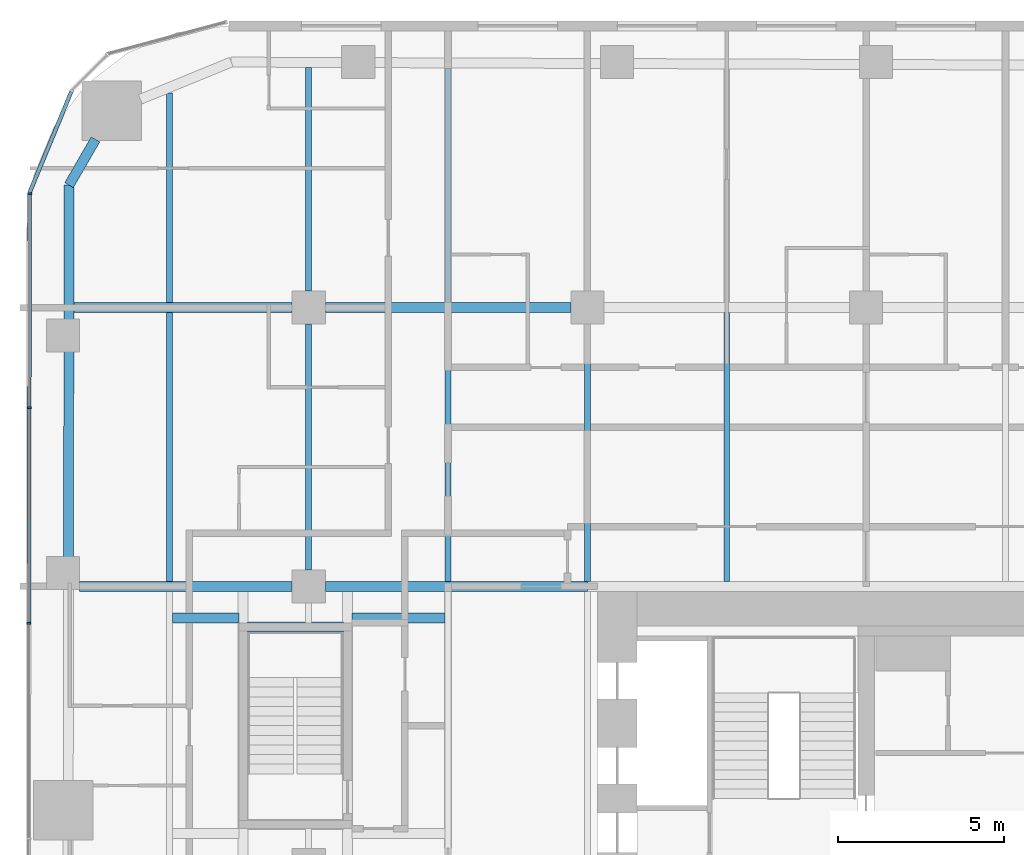
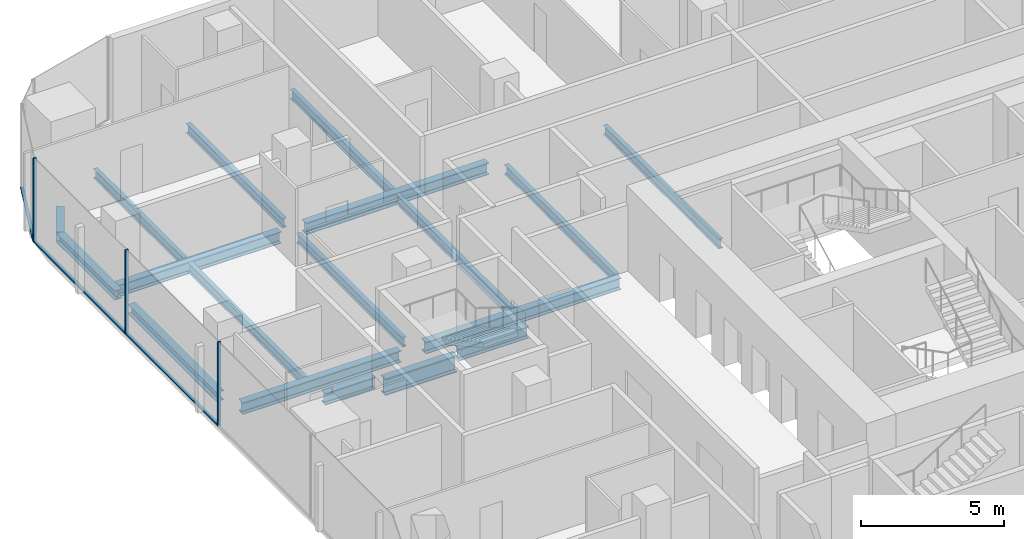
# One storey, part 9 of 27: 18 beams, 6 members, 2 elements without a shape of their own.
"""IFC4 building model written with IfcOpenShell, lengths in metres."""

from ifc_helpers import new_model, si_unit, direction, frame, origin, origin_2d, place, context, subcontext, project, spatial, rectangle, i_section, extrude, material, layer, layer_set, material_profile, profile_set, type_object, element, aggregate, save


model = new_model("IFC4")

# Units and contexts
model_context = context("Model", 3, precision=1e-05, world=origin(), true_north=direction((0.0, 1.0)))
body_context = subcontext(model_context, "Body", "Model", "MODEL_VIEW")
ifc_project = project(units=[si_unit("LENGTHUNIT", "METRE"), si_unit("AREAUNIT", "SQUARE_METRE"), si_unit("VOLUMEUNIT", "CUBIC_METRE"), si_unit("PLANEANGLEUNIT", "RADIAN"), si_unit("MASSUNIT", "GRAM", prefix="KILO")], contexts=[model_context])

# Site, building, storey
site_placement = place(None, origin())
site = spatial("IfcSite", under=ifc_project, at=site_placement, CompositionType="ELEMENT")
building_placement = place(site_placement, origin())
building = spatial("IfcBuilding", under=site, at=building_placement, Name="Marenta Gate Hotel Tower", CompositionType="ELEMENT")
storey_placement = place(building_placement, frame((0.0, 0.0, 36.5)))
storey = spatial("IfcBuildingStorey", under=building, at=storey_placement, Name="L06", CompositionType="ELEMENT", Elevation=36.5)

# Beams
ifc_material_1 = material(Name="Steel S355", Category="steel")
ifc_material_profile_1 = material_profile(ifc_material_1, i_section(OverallWidth=0.300048828125, OverallDepth=0.39990234375, WebThickness=0.013427734375, FlangeThickness=0.02392578125, FilletRadius=0.027099609375, at=origin_2d()), Name="HEB 400")
ifc_profile_set_1 = profile_set([ifc_material_profile_1], Name="Steel S355")
beam_type_1 = type_object("IfcBeamType", Name="Edge beam HEB 400", PredefinedType="SPANDREL", material=ifc_profile_set_1)
beam_1_placement = place(storey_placement, frame((-28.23681640625, 17.6630859375, -0.35009765625), z_axis=(0.001370827476, 0.999999060416, 0.0), x_axis=(-0.999999060416, 0.001370827476, 0.0)))
element("IfcBeam", 1, at=beam_1_placement, inside=storey, type_object=beam_type_1, Name="L06-EB-9", PredefinedType="SPANDREL", context=body_context, shape_type="SweptSolid", body=[
    extrude(i_section(OverallWidth=0.300048828125, OverallDepth=0.39990234375, WebThickness=0.013427734375, FlangeThickness=0.02392578125, FilletRadius=0.027099609375, at=origin_2d()), origin(), (0.0, 0.0, 1.0), 6.2333984375),
])
beam_2_placement = place(storey_placement, frame((-28.22705078125, 24.81640625, -0.35009765625), z_axis=(0.001377821732, 0.999999050803, 0.0), x_axis=(-0.999999050803, 0.001377821732, 0.0)))
element("IfcBeam", 2, at=beam_2_placement, inside=storey, type_object=beam_type_1, Name="L06-EB-10", PredefinedType="SPANDREL", context=body_context, shape_type="SweptSolid", body=[
    extrude(i_section(OverallWidth=0.300048828125, OverallDepth=0.39990234375, WebThickness=0.013427734375, FlangeThickness=0.02392578125, FilletRadius=0.027099609375, at=origin_2d()), origin(), (0.0, 0.0, 1.0), 4.075439453125),
])
beam_3_placement = place(storey_placement, frame((-28.221435546875, 28.891845703125, -0.35009765625), z_axis=(0.500098681536, 0.865968422476, 0.0), x_axis=(-0.865968422476, 0.500098681536, 0.0)))
element("IfcBeam", 3, at=beam_3_placement, inside=storey, type_object=beam_type_1, Name="L06-EB-11", PredefinedType="SPANDREL", context=body_context, shape_type="SweptSolid", body=[
    extrude(i_section(OverallWidth=0.300048828125, OverallDepth=0.39990234375, WebThickness=0.013427734375, FlangeThickness=0.02392578125, FilletRadius=0.027099609375, at=origin_2d()), origin(), (0.0, 0.0, 1.0), 1.591552734375),
])
ifc_material_2 = material(Name="Steel S355", Category="steel")
ifc_material_profile_2 = material_profile(ifc_material_2, i_section(OverallWidth=0.179931640625, OverallDepth=0.39990234375, WebThickness=0.008544921875, FlangeThickness=0.013427734375, FilletRadius=0.02099609375, at=origin_2d()), Name="IPE 400")
ifc_profile_set_2 = profile_set([ifc_material_profile_2], Name="Steel S355")
beam_type_2 = type_object("IfcBeamType", Name="Floor beam IPE 400", PredefinedType="JOIST", material=ifc_profile_set_2)
beam_4_placement = place(storey_placement, frame((-25.199951171875, 16.949951171875, -0.35009765625), z_axis=(0.0, 1.0, 0.0), x_axis=(-1.0, 0.0, 0.0)))
element("IfcBeam", 4, at=beam_4_placement, inside=storey, type_object=beam_type_2, Name="L06-FB-5", PredefinedType="JOIST", context=body_context, shape_type="SweptSolid", body=[
    extrude(i_section(OverallWidth=0.179931640625, OverallDepth=0.39990234375, WebThickness=0.008544921875, FlangeThickness=0.013427734375, FilletRadius=0.02099609375, at=origin_2d()), origin(), (0.0, 0.0, 1.0), 8.10009765625),
])
beam_5_placement = place(storey_placement, frame((-25.199951171875, 25.35009765625, -0.35009765625), z_axis=(0.0, 1.0, 0.0), x_axis=(-1.0, 0.0, 0.0)))
element("IfcBeam", 5, at=beam_5_placement, inside=storey, type_object=beam_type_2, Name="L06-FB-6", PredefinedType="JOIST", context=body_context, shape_type="SweptSolid", body=[
    extrude(i_section(OverallWidth=0.179931640625, OverallDepth=0.39990234375, WebThickness=0.008544921875, FlangeThickness=0.013427734375, FilletRadius=0.02099609375, at=origin_2d()), origin(), (0.0, 0.0, 1.0), 6.32470703125),
])
beam_6_placement = place(storey_placement, frame((-21.0, 17.300048828125, -0.35009765625), z_axis=(0.0, 1.0, 0.0), x_axis=(-1.0, 0.0, 0.0)))
element("IfcBeam", 6, at=beam_6_placement, inside=storey, type_object=beam_type_2, Name="L06-FB-12", PredefinedType="JOIST", context=body_context, shape_type="SweptSolid", body=[
    extrude(i_section(OverallWidth=0.179931640625, OverallDepth=0.39990234375, WebThickness=0.008544921875, FlangeThickness=0.013427734375, FilletRadius=0.02099609375, at=origin_2d()), origin(), (0.0, 0.0, 1.0), 7.39990234375),
])
beam_7_placement = place(storey_placement, frame((-21.0, 25.699951171875, -0.35009765625), z_axis=(0.0, 1.0, 0.0), x_axis=(-1.0, 0.0, 0.0)))
element("IfcBeam", 7, at=beam_7_placement, inside=storey, type_object=beam_type_2, Name="L06-FB-13", PredefinedType="JOIST", context=body_context, shape_type="SweptSolid", body=[
    extrude(i_section(OverallWidth=0.179931640625, OverallDepth=0.39990234375, WebThickness=0.008544921875, FlangeThickness=0.013427734375, FilletRadius=0.02099609375, at=origin_2d()), origin(), (0.0, 0.0, 1.0), 6.741455078125),
])
beam_8_placement = place(storey_placement, frame((-16.800048828125, 16.949951171875, -0.35009765625), z_axis=(0.0, 1.0, 0.0), x_axis=(-1.0, 0.0, 0.0)))
element("IfcBeam", 8, at=beam_8_placement, inside=storey, type_object=beam_type_2, Name="L06-FB-18", PredefinedType="JOIST", context=body_context, shape_type="SweptSolid", body=[
    extrude(i_section(OverallWidth=0.179931640625, OverallDepth=0.39990234375, WebThickness=0.008544921875, FlangeThickness=0.013427734375, FilletRadius=0.02099609375, at=origin_2d()), origin(), (0.0, 0.0, 1.0), 8.10009765625),
])
beam_9_placement = place(storey_placement, frame((-16.800048828125, 25.35009765625, -0.35009765625), z_axis=(0.0, 1.0, 0.0), x_axis=(-1.0, 0.0, 0.0)))
element("IfcBeam", 9, at=beam_9_placement, inside=storey, type_object=beam_type_2, Name="L06-FB-19", PredefinedType="JOIST", context=body_context, shape_type="SweptSolid", body=[
    extrude(i_section(OverallWidth=0.179931640625, OverallDepth=0.39990234375, WebThickness=0.008544921875, FlangeThickness=0.013427734375, FilletRadius=0.02099609375, at=origin_2d()), origin(), (0.0, 0.0, 1.0), 7.07568359375),
])
beam_10_placement = place(storey_placement, frame((-12.60009765625, 16.949951171875, -0.35009765625), z_axis=(0.0, 1.0, 0.0), x_axis=(-1.0, 0.0, 0.0)))
element("IfcBeam", 10, at=beam_10_placement, inside=storey, type_object=beam_type_2, Name="L06-FB-25", PredefinedType="JOIST", context=body_context, shape_type="SweptSolid", body=[
    extrude(i_section(OverallWidth=0.179931640625, OverallDepth=0.39990234375, WebThickness=0.008544921875, FlangeThickness=0.013427734375, FilletRadius=0.02099609375, at=origin_2d()), origin(), (0.0, 0.0, 1.0), 7.75),
])
beam_11_placement = place(storey_placement, frame((-8.39990234375, 16.949951171875, -0.35009765625), z_axis=(0.0, 1.0, 0.0), x_axis=(-1.0, 0.0, 0.0)))
element("IfcBeam", 11, at=beam_11_placement, inside=storey, type_object=beam_type_2, Name="L06-FB-30", PredefinedType="JOIST", context=body_context, shape_type="SweptSolid", body=[
    extrude(i_section(OverallWidth=0.179931640625, OverallDepth=0.39990234375, WebThickness=0.008544921875, FlangeThickness=0.013427734375, FilletRadius=0.02099609375, at=origin_2d()), origin(), (0.0, 0.0, 1.0), 8.10009765625),
])
ifc_material_3 = material(Name="Steel S355", Category="steel")
ifc_material_profile_3 = material_profile(ifc_material_3, i_section(OverallWidth=0.300048828125, OverallDepth=0.5, WebThickness=0.014404296875, FlangeThickness=0.028076171875, FilletRadius=0.027099609375, at=origin_2d()), Name="HEB 500")
ifc_profile_set_3 = profile_set([ifc_material_profile_3], Name="Steel S355")
beam_type_3 = type_object("IfcBeamType", Name="Girder HEB 500", PredefinedType="BEAM", material=ifc_profile_set_3)
beam_12_placement = place(storey_placement, frame((-27.89990234375, 16.800048828125, -0.39990234375), z_axis=(1.0, 0.0, 0.0), x_axis=(0.0, 1.0, 0.0)))
element("IfcBeam", 12, at=beam_12_placement, inside=storey, type_object=beam_type_3, Name="L06-GD-17", PredefinedType="BEAM", context=body_context, shape_type="SweptSolid", body=[
    extrude(i_section(OverallWidth=0.300048828125, OverallDepth=0.5, WebThickness=0.014404296875, FlangeThickness=0.028076171875, FilletRadius=0.027099609375, at=origin_2d()), origin(), (0.0, 0.0, 1.0), 6.39990234375),
])
beam_13_placement = place(storey_placement, frame((-20.5, 16.800048828125, -0.39990234375), z_axis=(1.0, 0.0, 0.0), x_axis=(0.0, 1.0, 0.0)))
element("IfcBeam", 13, at=beam_13_placement, inside=storey, type_object=beam_type_3, Name="L06-GD-18", PredefinedType="BEAM", context=body_context, shape_type="SweptSolid", body=[
    extrude(i_section(OverallWidth=0.300048828125, OverallDepth=0.5, WebThickness=0.014404296875, FlangeThickness=0.028076171875, FilletRadius=0.027099609375, at=origin_2d()), origin(), (0.0, 0.0, 1.0), 7.89990234375),
])
beam_14_placement = place(storey_placement, frame((-28.076416015625, 25.199951171875, -0.39990234375), z_axis=(1.0, 0.0, 0.0), x_axis=(0.0, 1.0, 0.0)))
element("IfcBeam", 14, at=beam_14_placement, inside=storey, type_object=beam_type_3, Name="L06-GD-22", PredefinedType="BEAM", context=body_context, shape_type="SweptSolid", body=[
    extrude(i_section(OverallWidth=0.300048828125, OverallDepth=0.5, WebThickness=0.014404296875, FlangeThickness=0.028076171875, FilletRadius=0.027099609375, at=origin_2d()), origin(), (0.0, 0.0, 1.0), 6.576416015625),
])
beam_15_placement = place(storey_placement, frame((-20.5, 25.199951171875, -0.39990234375), z_axis=(1.0, 0.0, 0.0), x_axis=(0.0, 1.0, 0.0)))
element("IfcBeam", 15, at=beam_15_placement, inside=storey, type_object=beam_type_3, Name="L06-GD-23", PredefinedType="BEAM", context=body_context, shape_type="SweptSolid", body=[
    extrude(i_section(OverallWidth=0.300048828125, OverallDepth=0.5, WebThickness=0.014404296875, FlangeThickness=0.028076171875, FilletRadius=0.027099609375, at=origin_2d()), origin(), (0.0, 0.0, 1.0), 7.39990234375),
])

# Curtain wall, members
ifc_material_4 = material(Name="Tinted insulated glass in bronze anodised frame", Category="glass")
ifc_layer = layer(ifc_material_4, 0.1201171875)
ifc_layer_set = layer_set([ifc_layer], Name="Tinted insulated glass in bronze anodised frame")
curtain_wall_type = type_object("IfcCurtainWallType", Name="Tower unitised curtain wall CW1", PredefinedType="NOTDEFINED", material=ifc_layer_set)
curtain_wall_1_placement = place(storey_placement, origin())
curtain_wall_1 = element("IfcCurtainWall", 16, at=curtain_wall_1_placement, inside=storey, type_object=curtain_wall_type, Name="CW1 run G03", PredefinedType="NOTDEFINED")
ifc_material_5 = material(Name="Bronze anodised aluminium", Category="aluminium")
ifc_material_profile_4 = material_profile(ifc_material_5, rectangle(XDim=0.1201171875, YDim=0.06005859375, at=origin_2d()), Name="Mullion CW1 60x120 bronze anodised aluminium")
ifc_profile_set_4 = profile_set([ifc_material_profile_4], Name="Bronze anodised aluminium")
member_type_1 = type_object("IfcMemberType", Name="Mullion CW1 60x120 bronze anodised aluminium", PredefinedType="MULLION", material=ifc_profile_set_4)
member_1_placement = place(storey_placement, frame((-29.412353515625, 28.63623046875, 0.0), z_axis=(0.0, 0.0, 1.0), x_axis=(0.99999877316, -0.00156642217, 0.0)))
member_1 = element("IfcMember", 17, at=member_1_placement, type_object=member_type_1, Name="CW1 mullion 1", PredefinedType="MULLION", context=body_context, shape_type="SweptSolid", body=[
    extrude(rectangle(XDim=0.1201171875, YDim=0.06005859375, at=origin_2d()), origin(), (0.0, 0.0, 1.0), 3.60009765625),
])
member_2_placement = place(storey_placement, frame((-29.42236328125, 22.17578125, 0.0), z_axis=(0.0, 0.0, 1.0), x_axis=(0.99999877316, -0.00156642217, 0.0)))
member_2 = element("IfcMember", 18, at=member_2_placement, type_object=member_type_1, Name="CW1 mullion 2", PredefinedType="MULLION", context=body_context, shape_type="SweptSolid", body=[
    extrude(rectangle(XDim=0.1201171875, YDim=0.06005859375, at=origin_2d()), origin(), (0.0, 0.0, 1.0), 3.60009765625),
])
member_3_placement = place(storey_placement, frame((-29.4326171875, 15.685546875, 0.0), z_axis=(0.0, 0.0, 1.0), x_axis=(0.99999877316, -0.00156642217, 0.0)))
member_3 = element("IfcMember", 19, at=member_3_placement, type_object=member_type_1, Name="CW1 mullion 3", PredefinedType="MULLION", context=body_context, shape_type="SweptSolid", body=[
    extrude(rectangle(XDim=0.1201171875, YDim=0.06005859375, at=origin_2d()), origin(), (0.0, 0.0, 1.0), 3.60009765625),
])

# Beam
ifc_material_6 = material(Name="Steel S355", Category="steel")
ifc_material_profile_5 = material_profile(ifc_material_6, i_section(OverallWidth=0.303955078125, OverallDepth=0.716064453125, WebThickness=0.027099609375, FlangeThickness=0.048095703125, FilletRadius=0.027099609375, at=origin_2d()), Name="HEM 700")
ifc_profile_set_5 = profile_set([ifc_material_profile_5], Name="Steel S355")
beam_type_4 = type_object("IfcBeamType", Name="Stair wall transfer beam HEM 700", PredefinedType="BEAM", material=ifc_profile_set_5)
beam_16_placement = place(storey_placement, frame((-22.85009765625, 15.574951171875, -0.508056640625), z_axis=(1.0, 0.0, 0.0), x_axis=(0.0, 1.0, 0.0)))
element("IfcBeam", 20, at=beam_16_placement, inside=storey, type_object=beam_type_4, Name="L06-XB-RS-Z1-3-d", PredefinedType="BEAM", context=body_context, shape_type="SweptSolid", body=[
    extrude(i_section(OverallWidth=0.303955078125, OverallDepth=0.716064453125, WebThickness=0.027099609375, FlangeThickness=0.048095703125, FilletRadius=0.027099609375, at=origin_2d()), origin(), (0.0, 0.0, 1.0), 2.900146484375),
])

# Curtain wall, member
curtain_wall_2_placement = place(storey_placement, origin())
curtain_wall_2 = element("IfcCurtainWall", 21, at=curtain_wall_2_placement, inside=storey, type_object=curtain_wall_type, Name="CW1 run G02", PredefinedType="NOTDEFINED")
ifc_material_7 = material(Name="Bronze anodised aluminium", Category="aluminium")
ifc_material_profile_6 = material_profile(ifc_material_7, rectangle(XDim=0.1201171875, YDim=0.06005859375, at=origin_2d()), Name="Transom CW1 60x120 bronze anodised aluminium")
ifc_profile_set_6 = profile_set([ifc_material_profile_6], Name="Bronze anodised aluminium")
member_type_2 = type_object("IfcMemberType", Name="Transom CW1 60x120 bronze anodised aluminium", PredefinedType="USERDEFINED", material=ifc_profile_set_6)
member_4_placement = place(storey_placement, frame((-28.15380859375, 31.704345703125, 0.030029296875), z_axis=(-0.382716791654, -0.923865713936, 0.0), x_axis=(0.923865713936, -0.382716791654, 0.0)))
member_4 = element("IfcMember", 22, at=member_4_placement, type_object=member_type_2, Name="CW1 transom 1.1", ObjectType="TRANSOM", PredefinedType="USERDEFINED", context=body_context, shape_type="SweptSolid", body=[
    extrude(rectangle(XDim=0.1201171875, YDim=0.06005859375, at=origin_2d()), origin(), (0.0, 0.0, 1.0), 3.288330078125),
])
aggregate(curtain_wall_2, [member_4])

# Member
member_5_placement = place(storey_placement, frame((-29.412353515625, 28.606201171875, 0.030029296875), z_axis=(-0.001563928512, -0.999998777063, 0.0), x_axis=(0.999998777063, -0.001563928512, 0.0)))
member_5 = element("IfcMember", 23, at=member_5_placement, type_object=member_type_2, Name="CW1 transom 1.1", ObjectType="TRANSOM", PredefinedType="USERDEFINED", context=body_context, shape_type="SweptSolid", body=[
    extrude(rectangle(XDim=0.1201171875, YDim=0.06005859375, at=origin_2d()), origin(), (0.0, 0.0, 1.0), 6.400390625),
])

member_6_placement = place(storey_placement, frame((-29.422607421875, 22.145751953125, 0.030029296875), z_axis=(-0.001556684271, -0.999998788366, 0.0), x_axis=(0.999998788366, -0.001556684271, 0.0)))
member_6 = element("IfcMember", 24, at=member_6_placement, type_object=member_type_2, Name="CW1 transom 2.1", ObjectType="TRANSOM", PredefinedType="USERDEFINED", context=body_context, shape_type="SweptSolid", body=[
    extrude(rectangle(XDim=0.1201171875, YDim=0.06005859375, at=origin_2d()), origin(), (0.0, 0.0, 1.0), 6.43017578125),
])

aggregate(curtain_wall_1, [member_1, member_2, member_3, member_5, member_6])

# Beams
ifc_material_8 = material(Name="Steel S355", Category="steel")
ifc_material_profile_7 = material_profile(ifc_material_8, i_section(OverallWidth=0.300048828125, OverallDepth=0.5, WebThickness=0.014404296875, FlangeThickness=0.028076171875, FilletRadius=0.027099609375, at=origin_2d()), Name="HEB 500")
ifc_profile_set_7 = profile_set([ifc_material_profile_7], Name="Steel S355")
beam_type_5 = type_object("IfcBeamType", Name="Trimmer HEB 500", PredefinedType="BEAM", material=ifc_profile_set_7)
beam_17_placement = place(storey_placement, frame((-25.110107421875, 15.85009765625, -0.39990234375), z_axis=(1.0, 0.0, 0.0), x_axis=(0.0, 1.0, 0.0)))
element("IfcBeam", 25, at=beam_17_placement, inside=storey, type_object=beam_type_5, Name="L06-TR-11", PredefinedType="BEAM", context=body_context, shape_type="SweptSolid", body=[
    extrude(i_section(OverallWidth=0.300048828125, OverallDepth=0.5, WebThickness=0.014404296875, FlangeThickness=0.028076171875, FilletRadius=0.027099609375, at=origin_2d()), origin(), (0.0, 0.0, 1.0), 2.010009765625),
])
beam_18_placement = place(storey_placement, frame((-19.699951171875, 15.85009765625, -0.39990234375), z_axis=(1.0, 0.0, 0.0), x_axis=(0.0, 1.0, 0.0)))
element("IfcBeam", 26, at=beam_18_placement, inside=storey, type_object=beam_type_5, Name="L06-TR-12", PredefinedType="BEAM", context=body_context, shape_type="SweptSolid", body=[
    extrude(i_section(OverallWidth=0.300048828125, OverallDepth=0.5, WebThickness=0.014404296875, FlangeThickness=0.028076171875, FilletRadius=0.027099609375, at=origin_2d()), origin(), (0.0, 0.0, 1.0), 2.81005859375),
])

save(model, "model.ifc")
